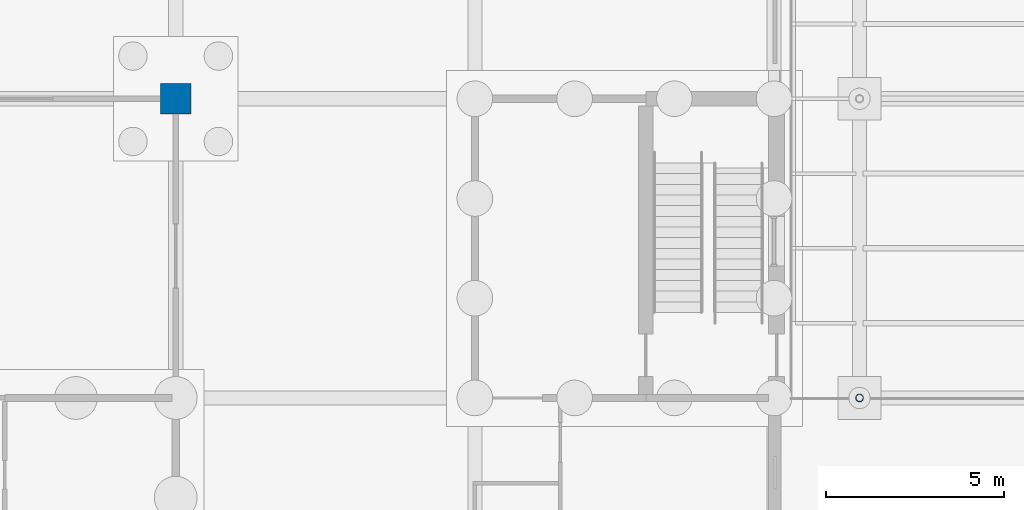
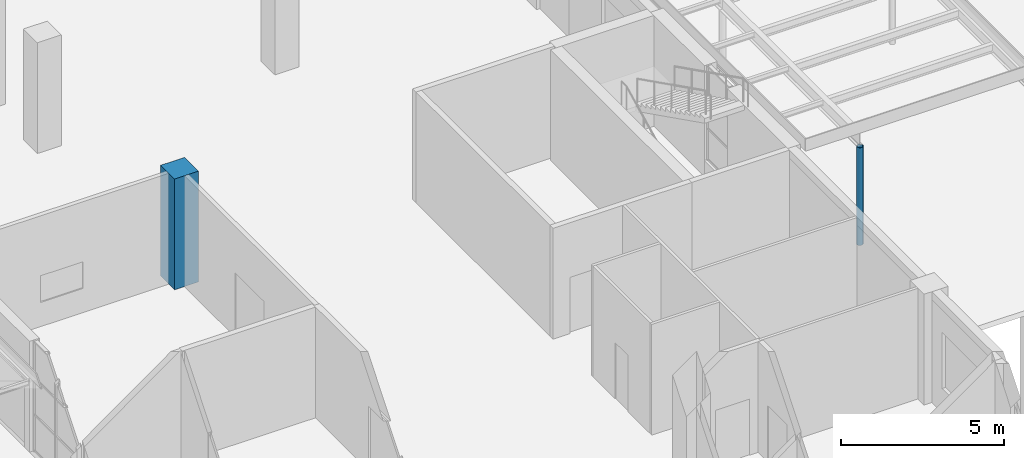
# One storey, part 24 of 138: 2 columns.
"""IFC4 building model written with IfcOpenShell, lengths in metres."""

from ifc_helpers import new_model, si_unit, direction, frame, origin, origin_2d, place, context, subcontext, project, spatial, rectangle, hollow_circle, extrude, material, material_profile, profile_set, type_object, element, save


model = new_model("IFC4")

# Units and contexts
model_context = context("Model", 3, precision=1e-05, world=origin(), true_north=direction((0.0, 1.0)))
body_context = subcontext(model_context, "Body", "Model", "MODEL_VIEW")
ifc_project = project(units=[si_unit("LENGTHUNIT", "METRE"), si_unit("AREAUNIT", "SQUARE_METRE"), si_unit("VOLUMEUNIT", "CUBIC_METRE"), si_unit("PLANEANGLEUNIT", "RADIAN"), si_unit("MASSUNIT", "GRAM", prefix="KILO")], contexts=[model_context])

# Site, building, storey
site_placement = place(None, origin())
site = spatial("IfcSite", under=ifc_project, at=site_placement, CompositionType="ELEMENT")
building_placement = place(site_placement, origin())
building = spatial("IfcBuilding", under=site, at=building_placement, Name="Yavir Park General Hospital", CompositionType="ELEMENT")
storey_placement = place(building_placement, origin())
storey = spatial("IfcBuildingStorey", under=building, at=storey_placement, Name="L00", CompositionType="ELEMENT", Elevation=0.0)

# Columns
ifc_material_1 = material(Name="Steel S355", Category="steel")
ifc_material_profile_1 = material_profile(ifc_material_1, hollow_circle(Radius=0.109619140625, WallThickness=0.010009765625, at=origin_2d()), Name="CHS219.1x10")
ifc_profile_set_1 = profile_set([ifc_material_profile_1], Name="Steel S355")
column_type_1 = type_object("IfcColumnType", Name="CHS 219.1x10 column", PredefinedType="COLUMN", material=ifc_profile_set_1)
column_1_placement = place(storey_placement, frame((170.39990234375, 50.39990234375, -0.300048828125), z_axis=(0.0, 0.0, 1.0), x_axis=(1.0, 0.0, 0.0)))
element("IfcColumn", 1, at=column_1_placement, inside=storey, type_object=column_type_1, Name="C:AMB:00", PredefinedType="COLUMN", context=body_context, shape_type="SweptSolid", body=[
    extrude(hollow_circle(Radius=0.109619140625, WallThickness=0.010009765625, at=origin_2d()), origin(), (0.0, 0.0, 1.0), 3.650146484375),
])
ifc_material_2 = material(Name="Concrete C40/50", Category="concrete")
ifc_material_profile_2 = material_profile(ifc_material_2, rectangle(XDim=0.85009765625, YDim=0.85009765625, at=origin_2d()), Name="RC850x850")
ifc_profile_set_2 = profile_set([ifc_material_profile_2], Name="Concrete C40/50")
column_type_2 = type_object("IfcColumnType", Name="RC COLUMN 850x850", PredefinedType="COLUMN", material=ifc_profile_set_2)
column_2_placement = place(storey_placement, frame((151.199951171875, 58.800048828125, 0.0), z_axis=(0.0, 0.0, 1.0), x_axis=(1.0, 0.0, 0.0)))
element("IfcColumn", 2, at=column_2_placement, inside=storey, type_object=column_type_2, Name="C:L00:19H", PredefinedType="COLUMN", context=body_context, shape_type="SweptSolid", body=[
    extrude(rectangle(XDim=0.85009765625, YDim=0.85009765625, at=origin_2d()), origin(), (0.0, 0.0, 1.0), 4.139892578125),
])

save(model, "model.ifc")
